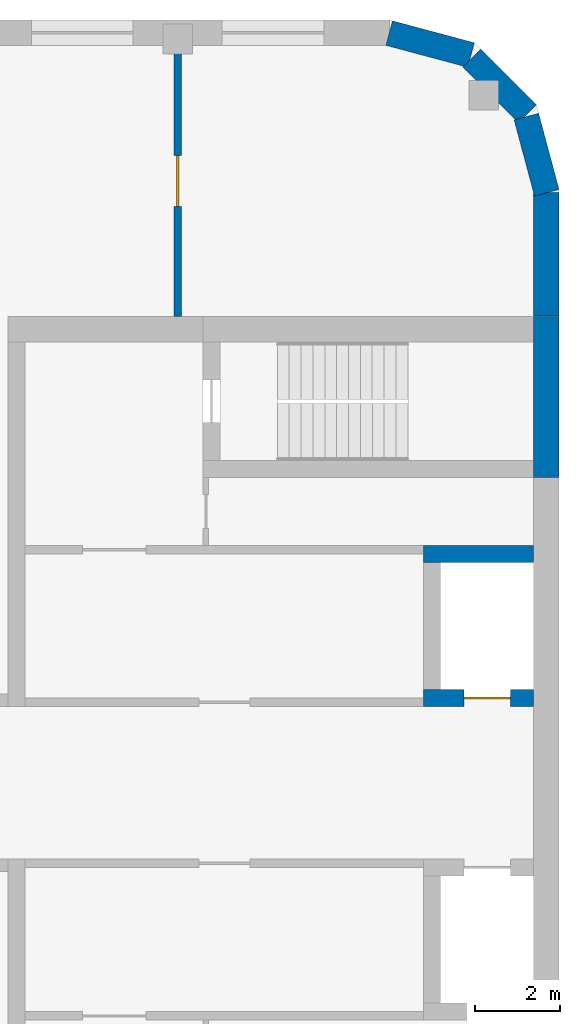
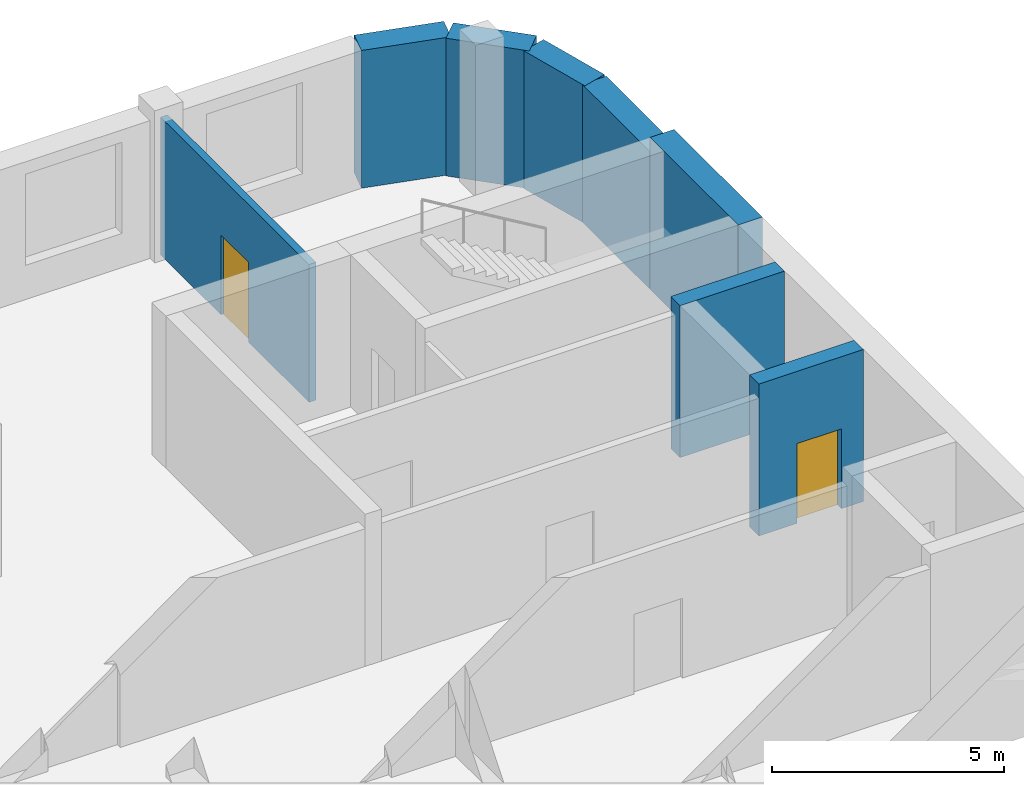
# One storey, part 10 of 16: 8 walls, 2 doors, 2 openings.
"""IFC4 building model written with IfcOpenShell, lengths in metres."""

from ifc_helpers import new_model, si_unit, direction, frame, frame_2d, origin, place, context, subcontext, project, spatial, rectangle, extrude, material, layer, layer_set, type_object, element, fill, save


model = new_model("IFC4")

# Units and contexts
model_context = context("Model", 3, precision=1e-05, world=origin(), true_north=direction((0.0, 1.0)))
body_context = subcontext(model_context, "Body", "Model", "MODEL_VIEW")
ifc_project = project(units=[si_unit("LENGTHUNIT", "METRE"), si_unit("AREAUNIT", "SQUARE_METRE"), si_unit("VOLUMEUNIT", "CUBIC_METRE"), si_unit("PLANEANGLEUNIT", "RADIAN"), si_unit("MASSUNIT", "GRAM", prefix="KILO")], contexts=[model_context])

# Site, building, storey
site_placement = place(None, origin())
site = spatial("IfcSite", under=ifc_project, at=site_placement, CompositionType="ELEMENT")
building_placement = place(site_placement, origin())
building = spatial("IfcBuilding", under=site, at=building_placement, Name="Skarvind Civic Tower", CompositionType="ELEMENT")
storey_placement = place(building_placement, frame((0.0, 0.0, 81.0)))
storey = spatial("IfcBuildingStorey", under=building, at=storey_placement, Name="L18", CompositionType="ELEMENT", Elevation=81.0)

# Wall, opening, door
ifc_material_1 = material(Name="Acoustic gypsum board on steel studs", Category="steel")
ifc_layer_1 = layer(ifc_material_1, 0.175048828125)
ifc_layer_set_1 = layer_set([ifc_layer_1], Name="ACOUSTIC MEETING-ROOM PARTITION 175")
wall_type_1 = type_object("IfcWallType", Name="ACOUSTIC MEETING-ROOM PARTITION 175", PredefinedType="PARTITIONING", material=ifc_layer_set_1)
wall_1_placement = place(storey_placement, frame((158.0, 139.0, 0.0), z_axis=(0.0, 0.0, 1.0), x_axis=(0.0, 1.0, 0.0)))
wall_1 = element("IfcWall", 1, at=wall_1_placement, inside=storey, type_object=wall_type_1, Name="Partition 18.017", PredefinedType="PARTITIONING", context=body_context, shape_type="SweptSolid", body=[
    extrude(rectangle(XDim=6.39990234375, YDim=0.175048828125, at=frame_2d((3.199951171875, 0.0))), origin(), (0.0, 0.0, 1.0), 3.625),
])
opening_1_placement = place(wall_1_placement, frame((2.60009765625, 0.0, 0.0)))
opening_1 = element("IfcOpeningElement", 2, at=opening_1_placement, cuts=wall_1, Name="Opening L18-D104", PredefinedType="OPENING", context=body_context, shape_type="SweptSolid", body=[
    extrude(rectangle(XDim=1.199951171875, YDim=2.10009765625, at=frame_2d((0.60009765625, 1.050048828125))), frame((0.0, 0.097412109375, 0.0), z_axis=(0.0, -1.0, 0.0), x_axis=(1.0, 0.0, 0.0)), (0.0, 0.0, 1.0), 0.195068359375),
])
ifc_material_2 = material(Name="Timber door leaf", Category="wood")
door_type_1 = type_object("IfcDoorType", Name="DOOR 1200X2100 DOUBLE TIMBER", OperationType="NOTDEFINED", PredefinedType="DOOR", material=ifc_material_2)
door_1_placement = place(opening_1_placement, origin())
door_1 = element("IfcDoor", 3, at=door_1_placement, inside=storey, type_object=door_type_1, Name="Door L18-D104", OperationType="DOUBLE_DOOR_SINGLE_SWING", OverallHeight=2.10009765625, OverallWidth=1.199951171875, PredefinedType="DOOR", context=body_context, shape_type="SweptSolid", body=[
    extrude(rectangle(XDim=1.199951171875, YDim=2.10009765625, at=frame_2d((0.60009765625, 1.050048828125))), frame((0.0, 0.02490234375, 0.0), z_axis=(0.0, -1.0, 0.0), x_axis=(1.0, 0.0, 0.0)), (0.0, 0.0, 1.0), 0.050048828125),
])
fill(opening_1, door_1)

ifc_material_3 = material(Name="Concrete C80", Category="concrete")
ifc_layer_2 = layer(ifc_material_3, 0.39990234375)
ifc_layer_set_2 = layer_set([ifc_layer_2], Name="Core wall 400 C80")
wall_type_2 = type_object("IfcWallType", Name="Core wall 400 C80", PredefinedType="SHEAR", material=ifc_layer_set_2)
wall_2_placement = place(storey_placement, frame((166.39990234375, 130.0, 0.0), z_axis=(0.0, 0.0, 1.0), x_axis=(-1.0, 0.0, 0.0)))
wall_2 = element("IfcWall", 4, at=wall_2_placement, inside=storey, type_object=wall_type_2, Name="Core wall CB south lift row front L18", PredefinedType="SHEAR", context=body_context, shape_type="SweptSolid", body=[
    extrude(rectangle(XDim=2.599853515625, YDim=0.39990234375, at=frame_2d((1.2998046875, 0.0))), origin(), (0.0, 0.0, 1.0), 4.0),
])
opening_2_placement = place(wall_2_placement, frame((0.550048828125, 0.0, 0.0)))
opening_2 = element("IfcOpeningElement", 5, at=opening_2_placement, cuts=wall_2, Name="Opening LD20402", PredefinedType="OPENING", context=body_context, shape_type="SweptSolid", body=[
    extrude(rectangle(XDim=1.10009765625, YDim=2.10009765625, at=frame_2d((0.550048828125, 1.050048828125))), frame((0.0, 0.2099609375, 0.0), z_axis=(0.0, -1.0, 0.0), x_axis=(1.0, 0.0, 0.0)), (0.0, 0.0, 1.0), 0.419921875),
])
ifc_material_4 = material(Name="Stainless steel landing door", Category="steel")
door_type_2 = type_object("IfcDoorType", Name="Lift landing door 1100", OperationType="DOUBLE_DOOR_SLIDING", PredefinedType="DOOR", material=ifc_material_4)
door_2_placement = place(opening_2_placement, origin())
door_2 = element("IfcDoor", 6, at=door_2_placement, inside=storey, type_object=door_type_2, Name="Lift landing door", OperationType="DOUBLE_DOOR_SLIDING", OverallHeight=2.10009765625, OverallWidth=1.10009765625, PredefinedType="DOOR", context=body_context, shape_type="SweptSolid", body=[
    extrude(rectangle(XDim=1.10009765625, YDim=2.10009765625, at=frame_2d((0.550048828125, 1.050048828125))), frame((0.0, 0.02490234375, 0.0), z_axis=(0.0, -1.0, 0.0), x_axis=(1.0, 0.0, 0.0)), (0.0, 0.0, 1.0), 0.050048828125),
])
fill(opening_2, door_2)

# Walls
wall_3_placement = place(storey_placement, frame((166.39990234375, 133.39990234375, 0.0), z_axis=(0.0, 0.0, 1.0), x_axis=(-1.0, 0.0, 0.0)))
element("IfcWall", 7, at=wall_3_placement, inside=storey, type_object=wall_type_2, Name="Core wall CB south lift row back L18", PredefinedType="SHEAR", context=body_context, shape_type="SweptSolid", body=[
    extrude(rectangle(XDim=2.599853515625, YDim=0.39990234375, at=frame_2d((1.2998046875, 0.0))), origin(), (0.0, 0.0, 1.0), 4.0),
])
ifc_layer_3 = layer(ifc_material_3, 0.60009765625)
ifc_layer_set_3 = layer_set([ifc_layer_3], Name="Core wall 600 C80")
wall_type_3 = type_object("IfcWallType", Name="Core wall 600 C80", PredefinedType="SHEAR", material=ifc_layer_set_3)
wall_4_placement = place(storey_placement, frame((166.699951171875, 139.0, 0.0), z_axis=(0.0, 0.0, 1.0), x_axis=(0.0, -1.0, 0.0)))
element("IfcWall", 8, at=wall_4_placement, inside=storey, type_object=wall_type_3, Name="Core wall CB tip at the south stair L18", PredefinedType="SHEAR", context=body_context, shape_type="SweptSolid", body=[
    extrude(rectangle(XDim=3.800048828125, YDim=0.60009765625, at=frame_2d((1.89990234375, 0.0))), origin(), (0.0, 0.0, 1.0), 4.0),
])
ifc_material_5 = material(Name="Limestone masonry cladding on insulated backing", Category="masonry")
ifc_layer_4 = layer(ifc_material_5, 0.60009765625)
ifc_layer_set_4 = layer_set([ifc_layer_4], Name="WX1 STONE FACADE WALL 600")
wall_type_4 = type_object("IfcWallType", Name="WX1 STONE FACADE WALL 600", PredefinedType="SOLIDWALL", material=ifc_layer_set_4)
wall_5_placement = place(storey_placement, frame((166.699951171875, 141.929931640625, 0.0), z_axis=(0.0, 0.0, 1.0), x_axis=(0.0, -1.0, 0.0)))
element("IfcWall", 9, at=wall_5_placement, inside=storey, type_object=wall_type_4, Name="STONE FACADE WALL", PredefinedType="SOLIDWALL", context=body_context, shape_type="SweptSolid", body=[
    extrude(rectangle(XDim=2.909912109375, YDim=0.60009765625, at=frame_2d((1.455078125, 0.0))), origin(), (0.0, 0.0, 1.0), 3.625),
])
for number, where, z_axis, x_axis, name in (
    (10, (166.228759765625, 143.719482421875, 0.0), (0.0, 0.0, 1.0), (0.258773254036, -0.965938094805, 0.0), "STONE FACADE WALL"),
    (11, (164.936279296875, 145.103515625, 0.0), (0.0, 0.0, 1.0), (0.707106781187, -0.707106781187, 0.0), "STONE FACADE WALL"),
):
    element("IfcWall", number, at=place(storey_placement, frame(where, z_axis=z_axis, x_axis=x_axis)), inside=storey, type_object=wall_type_4, Name=name, PredefinedType="SOLIDWALL", context=body_context, shape_type="SweptSolid", body=[
        extrude(rectangle(XDim=1.860595703125, YDim=0.60009765625, at=frame_2d((0.93017578125, 0.0))), origin(), (0.0, 0.0, 1.0), 3.625),
    ])
wall_6_placement = place(storey_placement, frame((162.989990234375, 145.692138671875, 0.0), z_axis=(0.0, 0.0, 1.0), x_axis=(0.965920269068, -0.258839784042, 0.0)))
element("IfcWall", 12, at=wall_6_placement, inside=storey, type_object=wall_type_4, Name="STONE FACADE WALL", PredefinedType="SOLIDWALL", context=body_context, shape_type="SweptSolid", body=[
    extrude(rectangle(XDim=2.00048828125, YDim=0.60009765625, at=frame_2d((1.000244140625, 0.0))), origin(), (0.0, 0.0, 1.0), 3.625),
])

save(model, "model.ifc")
